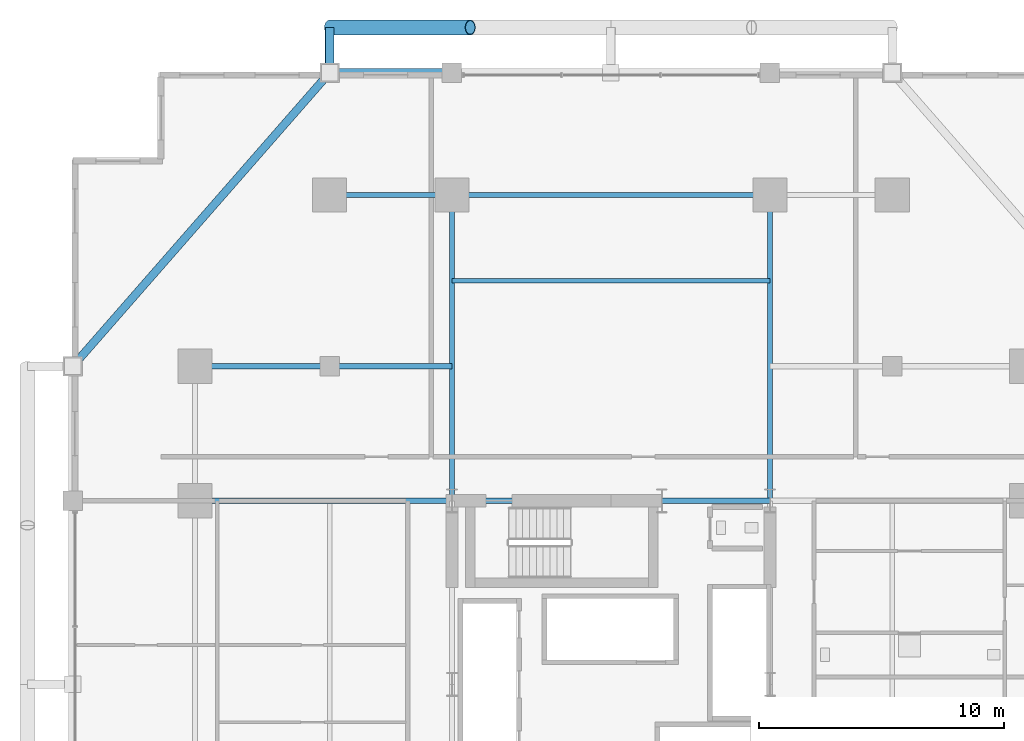
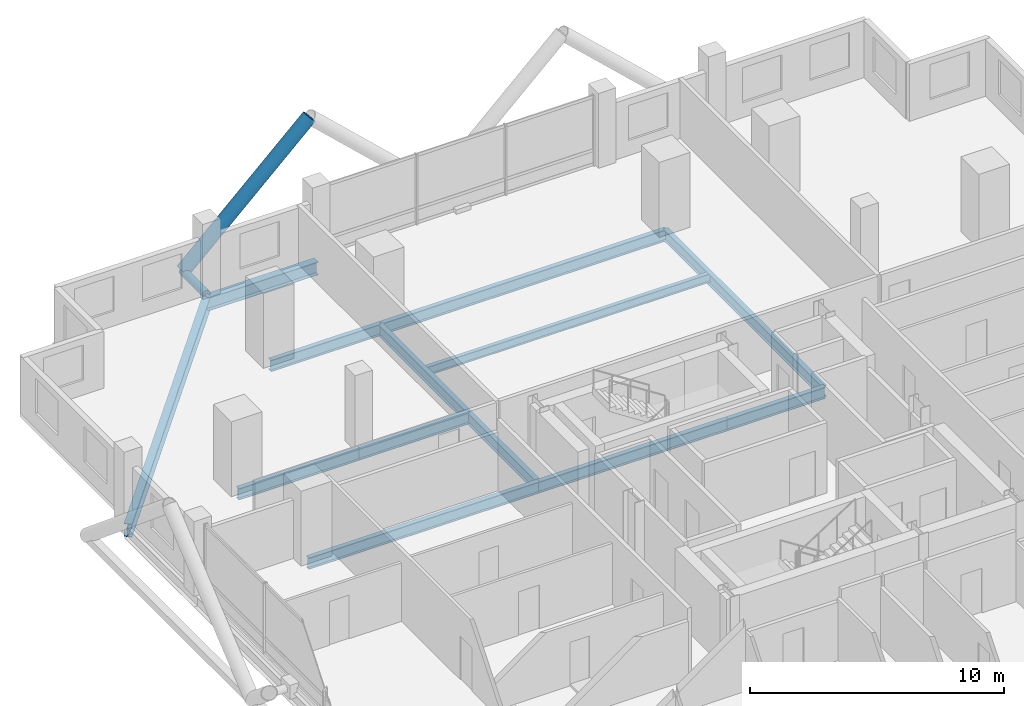
# One storey, part 14 of 27: 12 beams, 2 members.
"""IFC4 building model written with IfcOpenShell, lengths in metres."""

from ifc_helpers import new_model, si_unit, direction, frame, origin, origin_2d, place, context, subcontext, project, spatial, hollow_circle, i_section, extrude, material, material_profile, profile_set, type_object, element, save


model = new_model("IFC4")

# Units and contexts
model_context = context("Model", 3, precision=1e-05, world=origin(), true_north=direction((0.0, 1.0)))
body_context = subcontext(model_context, "Body", "Model", "MODEL_VIEW")
ifc_project = project(units=[si_unit("LENGTHUNIT", "METRE"), si_unit("AREAUNIT", "SQUARE_METRE"), si_unit("VOLUMEUNIT", "CUBIC_METRE"), si_unit("PLANEANGLEUNIT", "RADIAN"), si_unit("MASSUNIT", "GRAM", prefix="KILO")], contexts=[model_context])

# Site, building, storey
site_placement = place(None, origin())
site = spatial("IfcSite", under=ifc_project, at=site_placement, CompositionType="ELEMENT")
building_placement = place(site_placement, origin())
building = spatial("IfcBuilding", under=site, at=building_placement, Name="Barlavira Tower and Art Museum", CompositionType="ELEMENT")
storey_placement = place(building_placement, frame((0.0, 0.0, 72.0)))
storey = spatial("IfcBuildingStorey", under=building, at=storey_placement, Name="L17", CompositionType="ELEMENT", Elevation=72.0)

# Members
ifc_material = material(Name="Steel S355", Category="steel")
ifc_material_profile_1 = material_profile(ifc_material, hollow_circle(Radius=0.304931640625, WallThickness=0.028076171875, at=origin_2d()), Name="CHS 610.0x28.0")
ifc_profile_set_1 = profile_set([ifc_material_profile_1], Name="Steel S355")
member_type_1 = type_object("IfcMemberType", Name="Pale-Metal Exoskeleton Diagrid Tube CHS 610x28 Steel S355", PredefinedType="BRACE", material=ifc_profile_set_1)
member_1_placement = place(storey_placement, frame((-11.5, 26.85009765625, -0.1201171875), z_axis=(0.728934650808, 0.0, 0.684583285548), x_axis=(0.0, 1.0, 0.0)))
element("IfcMember", 1, at=member_1_placement, inside=storey, type_object=member_type_1, Name="L17 Exoskeleton Diagrid Tube N", PredefinedType="BRACE", context=body_context, shape_type="SweptSolid", body=[
    extrude(hollow_circle(Radius=0.304931640625, WallThickness=0.028076171875, at=origin_2d()), origin(), (0.0, 0.0, 1.0), 7.88818359375),
])
ifc_material_profile_2 = material_profile(ifc_material, hollow_circle(Radius=0.177734375, WallThickness=0.01611328125, at=origin_2d()), Name="CHS 355.6x16.0")
ifc_profile_set_2 = profile_set([ifc_material_profile_2], Name="Steel S355")
member_type_2 = type_object("IfcMemberType", Name="Pale-Metal Exoskeleton Tie Strut CHS 356x16 Steel S355", PredefinedType="STRUT", material=ifc_profile_set_2)
member_2_placement = place(storey_placement, frame((-11.5, 26.85009765625, -0.1201171875), z_axis=(0.0, -1.0, 0.0), x_axis=(1.0, 0.0, 0.0)))
element("IfcMember", 2, at=member_2_placement, inside=storey, type_object=member_type_2, Name="L17 Exoskeleton Tie Strut N1", PredefinedType="STRUT", context=body_context, shape_type="SweptSolid", body=[
    extrude(hollow_circle(Radius=0.177734375, WallThickness=0.01611328125, at=origin_2d()), origin(), (0.0, 0.0, 1.0), 1.85009765625),
])

# Beams
ifc_material_profile_3 = material_profile(ifc_material, i_section(OverallWidth=0.327880859375, OverallDepth=0.62890625, WebThickness=0.013916015625, FlangeThickness=0.021484375, at=origin_2d()), Name="W610x174.0")
ifc_profile_set_3 = profile_set([ifc_material_profile_3], Name="Steel S355")
beam_type_1 = type_object("IfcBeamType", Name="Perimeter Spandrel Edge Beam W610x174 Steel S355", PredefinedType="SPANDREL", material=ifc_profile_set_3)
beam_1_placement = place(storey_placement, frame((-11.5, 25.0, -0.534423828125), z_axis=(1.0, 0.0, 0.0), x_axis=(0.0, 1.0, 0.0)))
element("IfcBeam", 3, at=beam_1_placement, inside=storey, type_object=beam_type_1, Name="L17 Spandrel 11", PredefinedType="SPANDREL", context=body_context, shape_type="SweptSolid", body=[
    extrude(i_section(OverallWidth=0.327880859375, OverallDepth=0.62890625, WebThickness=0.013916015625, FlangeThickness=0.021484375, at=origin_2d()), origin(), (0.0, 0.0, 1.0), 5.0),
])
beam_2_placement = place(storey_placement, frame((-11.5, 25.0, -0.534423828125), z_axis=(-0.658504607869, -0.752576694707, 0.0), x_axis=(0.752576694707, -0.658504607869, 0.0)))
element("IfcBeam", 4, at=beam_2_placement, inside=storey, type_object=beam_type_1, Name="L17 Spandrel 12", PredefinedType="SPANDREL", context=body_context, shape_type="SweptSolid", body=[
    extrude(i_section(OverallWidth=0.327880859375, OverallDepth=0.62890625, WebThickness=0.013916015625, FlangeThickness=0.021484375, at=origin_2d()), origin(), (0.0, 0.0, 1.0), 15.9453125),
])
ifc_material_profile_4 = material_profile(ifc_material, i_section(OverallWidth=0.180908203125, OverallDepth=0.4169921875, WebThickness=0.010986328125, FlangeThickness=0.018310546875, at=origin_2d()), Name="W410x85.0")
ifc_profile_set_4 = profile_set([ifc_material_profile_4], Name="Steel S355")
beam_type_2 = type_object("IfcBeamType", Name="Zone 1 Composite Floor Joist W410x85 Steel S355", PredefinedType="JOIST", material=ifc_profile_set_4)
beam_3_placement = place(storey_placement, frame((-6.5, 16.5, -0.428466796875), z_axis=(1.0, 0.0, 0.0), x_axis=(0.0, 1.0, 0.0)))
element("IfcBeam", 5, at=beam_3_placement, inside=storey, type_object=beam_type_2, Name="L17 Joist C2", PredefinedType="JOIST", context=body_context, shape_type="SweptSolid", body=[
    extrude(i_section(OverallWidth=0.180908203125, OverallDepth=0.4169921875, WebThickness=0.010986328125, FlangeThickness=0.018310546875, at=origin_2d()), origin(), (0.0, 0.0, 1.0), 13.0),
])
ifc_material_profile_5 = material_profile(ifc_material, i_section(OverallWidth=0.214111328125, OverallDepth=0.549072265625, WebThickness=0.0146484375, FlangeThickness=0.023681640625, at=origin_2d()), Name="W530x138.0")
ifc_profile_set_5 = profile_set([ifc_material_profile_5], Name="Steel S355")
beam_type_3 = type_object("IfcBeamType", Name="Zone 1 Primary Floor Girder W530x138 Steel S355", PredefinedType="BEAM", material=ifc_profile_set_5)
beam_4_placement = place(storey_placement, frame((-6.5, 7.5, -0.494384765625), z_axis=(1.0, 0.0, 0.0), x_axis=(0.0, 1.0, 0.0)))
element("IfcBeam", 6, at=beam_4_placement, inside=storey, type_object=beam_type_3, Name="L17 Girder C-N1", PredefinedType="BEAM", context=body_context, shape_type="SweptSolid", body=[
    extrude(i_section(OverallWidth=0.214111328125, OverallDepth=0.549072265625, WebThickness=0.0146484375, FlangeThickness=0.023681640625, at=origin_2d()), origin(), (0.0, 0.0, 1.0), 8.580078125),
])
beam_5_placement = place(storey_placement, frame((2.080078125, 7.5, -0.494384765625), z_axis=(1.0, 0.0, 0.0), x_axis=(0.0, 1.0, 0.0)))
element("IfcBeam", 7, at=beam_5_placement, inside=storey, type_object=beam_type_3, Name="L17 Girder C-N2", PredefinedType="BEAM", context=body_context, shape_type="SweptSolid", body=[
    extrude(i_section(OverallWidth=0.214111328125, OverallDepth=0.549072265625, WebThickness=0.0146484375, FlangeThickness=0.023681640625, at=origin_2d()), origin(), (0.0, 0.0, 1.0), 4.419921875),
])
beam_6_placement = place(storey_placement, frame((-11.5, 20.0, -0.494384765625), z_axis=(1.0, 0.0, 0.0), x_axis=(0.0, 1.0, 0.0)))
element("IfcBeam", 8, at=beam_6_placement, inside=storey, type_object=beam_type_3, Name="L17 Girder M-N1", PredefinedType="BEAM", context=body_context, shape_type="SweptSolid", body=[
    extrude(i_section(OverallWidth=0.214111328125, OverallDepth=0.549072265625, WebThickness=0.0146484375, FlangeThickness=0.023681640625, at=origin_2d()), origin(), (0.0, 0.0, 1.0), 5.0),
])
beam_7_placement = place(storey_placement, frame((-6.5, 20.0, -0.494384765625), z_axis=(1.0, 0.0, 0.0), x_axis=(0.0, 1.0, 0.0)))
element("IfcBeam", 9, at=beam_7_placement, inside=storey, type_object=beam_type_3, Name="L17 Girder M-N2", PredefinedType="BEAM", context=body_context, shape_type="SweptSolid", body=[
    extrude(i_section(OverallWidth=0.214111328125, OverallDepth=0.549072265625, WebThickness=0.0146484375, FlangeThickness=0.023681640625, at=origin_2d()), origin(), (0.0, 0.0, 1.0), 13.0),
])
for number, where, z_axis, x_axis, name in (
    (10, (-6.5, 7.5, -0.494384765625), (0.0, 1.0, 0.0), (-1.0, 0.0, 0.0), "L17 Girder R-N1"),
    (11, (6.5, 7.5, -0.494384765625), (0.0, 1.0, 0.0), (-1.0, 0.0, 0.0), "L17 Girder R-N2"),
):
    element("IfcBeam", number, at=place(storey_placement, frame(where, z_axis=z_axis, x_axis=x_axis)), inside=storey, type_object=beam_type_3, Name=name, PredefinedType="BEAM", context=body_context, shape_type="SweptSolid", body=[
        extrude(i_section(OverallWidth=0.214111328125, OverallDepth=0.549072265625, WebThickness=0.0146484375, FlangeThickness=0.023681640625, at=origin_2d()), origin(), (0.0, 0.0, 1.0), 12.5),
    ])
beam_8_placement = place(storey_placement, frame((-17.0, 7.5, -0.494384765625), z_axis=(1.0, 0.0, 0.0), x_axis=(0.0, 1.0, 0.0)))
element("IfcBeam", 12, at=beam_8_placement, inside=storey, type_object=beam_type_3, Name="L17 Girder R-W2", PredefinedType="BEAM", context=body_context, shape_type="SweptSolid", body=[
    extrude(i_section(OverallWidth=0.214111328125, OverallDepth=0.549072265625, WebThickness=0.0146484375, FlangeThickness=0.023681640625, at=origin_2d()), origin(), (0.0, 0.0, 1.0), 10.5),
])
beam_9_placement = place(storey_placement, frame((-17.0, 13.0, -0.494384765625), z_axis=(1.0, 0.0, 0.0), x_axis=(0.0, 1.0, 0.0)))
element("IfcBeam", 13, at=beam_9_placement, inside=storey, type_object=beam_type_3, Name="L17 Girder I-N1", PredefinedType="BEAM", context=body_context, shape_type="SweptSolid", body=[
    extrude(i_section(OverallWidth=0.214111328125, OverallDepth=0.549072265625, WebThickness=0.0146484375, FlangeThickness=0.023681640625, at=origin_2d()), origin(), (0.0, 0.0, 1.0), 5.5),
])
beam_10_placement = place(storey_placement, frame((-11.5, 13.0, -0.494384765625), z_axis=(1.0, 0.0, 0.0), x_axis=(0.0, 1.0, 0.0)))
element("IfcBeam", 14, at=beam_10_placement, inside=storey, type_object=beam_type_3, Name="L17 Girder I-N2", PredefinedType="BEAM", context=body_context, shape_type="SweptSolid", body=[
    extrude(i_section(OverallWidth=0.214111328125, OverallDepth=0.549072265625, WebThickness=0.0146484375, FlangeThickness=0.023681640625, at=origin_2d()), origin(), (0.0, 0.0, 1.0), 5.0),
])

save(model, "model.ifc")
